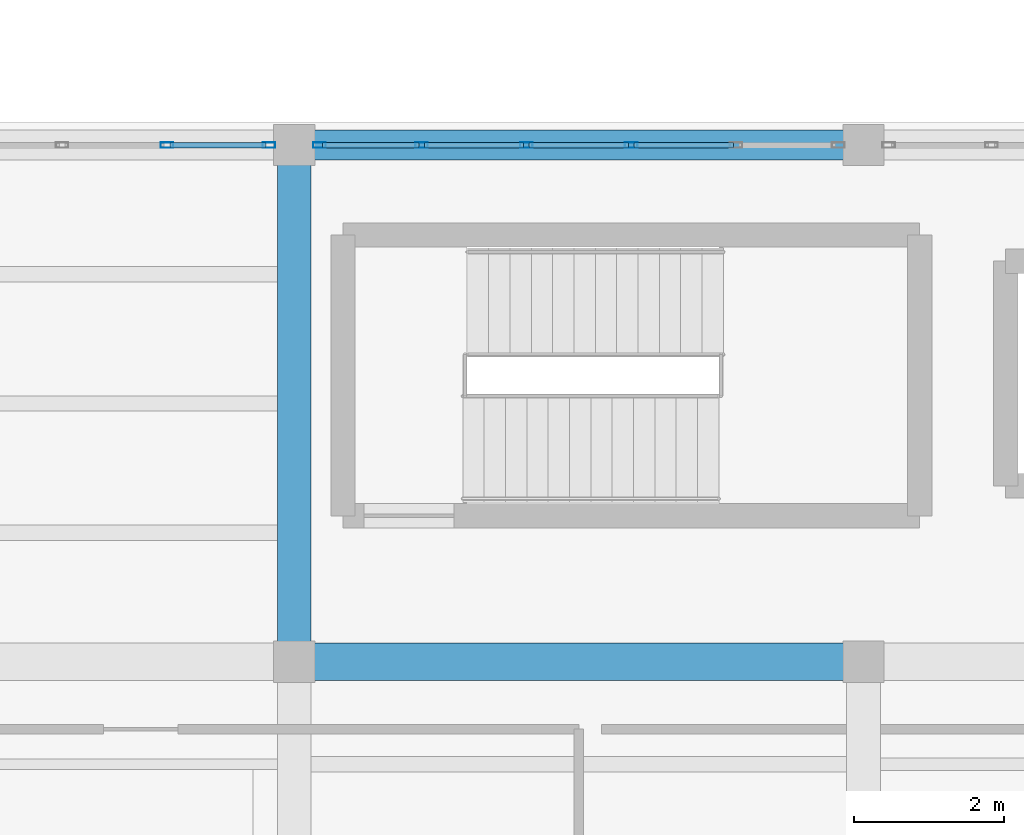
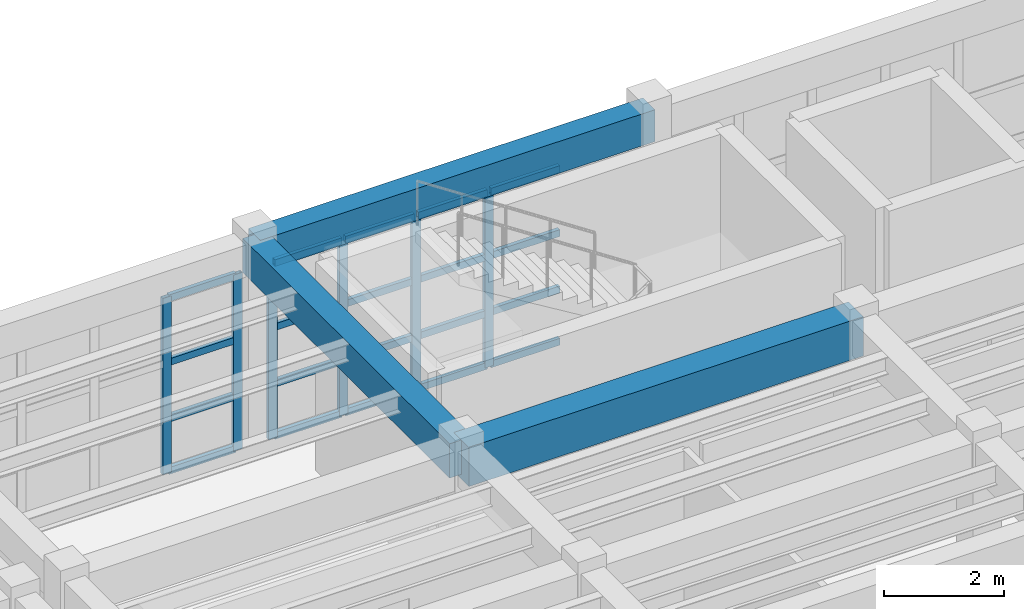
# One storey, part 24 of 85: 26 members, 3 beams, 2 elements without a shape of their own.
"""IFC4 building model written with IfcOpenShell, lengths in metres."""

from ifc_helpers import new_model, si_unit, direction, frame, origin, origin_2d, place, context, subcontext, project, spatial, rectangle, hollow_rectangle, extrude, material, layer, layer_set, material_profile, profile_set, type_object, element, aggregate, save


model = new_model("IFC4")

# Units and contexts
model_context = context("Model", 3, precision=1e-05, world=origin(), true_north=direction((0.0, 1.0)))
body_context = subcontext(model_context, "Body", "Model", "MODEL_VIEW")
ifc_project = project(units=[si_unit("LENGTHUNIT", "METRE"), si_unit("AREAUNIT", "SQUARE_METRE"), si_unit("VOLUMEUNIT", "CUBIC_METRE"), si_unit("PLANEANGLEUNIT", "RADIAN"), si_unit("MASSUNIT", "GRAM", prefix="KILO")], contexts=[model_context])

# Site, building, storey
site_placement = place(None, origin())
site = spatial("IfcSite", under=ifc_project, at=site_placement, CompositionType="ELEMENT")
building_placement = place(site_placement, origin())
building = spatial("IfcBuilding", under=site, at=building_placement, Name="Candilejo Ridge Gondola Terminal", CompositionType="ELEMENT")
storey_placement = place(building_placement, frame((0.0, 0.0, 4.5)))
storey = spatial("IfcBuildingStorey", under=building, at=storey_placement, Name="L01", CompositionType="ELEMENT", Elevation=4.5)

# Curtain wall, members
ifc_material_1 = material(Name="Anodised aluminium AA 6063-T6", Category="aluminium")
ifc_layer = layer(ifc_material_1, 0.169921875)
ifc_layer_set = layer_set([ifc_layer], Name="ARC-CW-GALLERY-3200-700X359")
curtain_wall_type = type_object("IfcCurtainWallType", Name="ARC-CW-GALLERY-3200-700X359", PredefinedType="NOTDEFINED", material=ifc_layer_set)
curtain_wall_1_placement = place(storey_placement, origin())
curtain_wall_1 = element("IfcCurtainWall", 1, at=curtain_wall_1_placement, inside=storey, type_object=curtain_wall_type, Name="Curtain wall V3 L01-070", PredefinedType="NOTDEFINED")
ifc_material_2 = material(Name="Anodised aluminium AA 6063-T6", Category="aluminium")
ifc_material_profile_1 = material_profile(ifc_material_2, hollow_rectangle(XDim=0.074951171875, YDim=0.169921875, WallThickness=0.00390625, at=origin_2d()))
ifc_profile_set_1 = profile_set([ifc_material_profile_1], Name="Anodised aluminium AA 6063-T6")
member_type_1 = type_object("IfcMemberType", Name="ARC-CW-MULLION", PredefinedType="MULLION", material=ifc_profile_set_1)
member_1_placement = place(storey_placement, frame((92.89990234375, 36.699951171875, 0.0), z_axis=(0.0, 0.0, 1.0), x_axis=(0.0, 1.0, 0.0)))
member_1 = element("IfcMember", 2, at=member_1_placement, type_object=member_type_1, Name="CW-70X35 mullion 5", PredefinedType="MULLION", context=body_context, shape_type="SweptSolid", body=[
    extrude(hollow_rectangle(XDim=0.074951171875, YDim=0.169921875, WallThickness=0.00390625, at=origin_2d()), origin(), (0.0, 0.0, 1.0), 3.590087890625),
])
member_2_placement = place(storey_placement, frame((94.262451171875, 36.699951171875, 0.0), z_axis=(0.0, 0.0, 1.0), x_axis=(0.0, 1.0, 0.0)))
member_2 = element("IfcMember", 3, at=member_2_placement, type_object=member_type_1, Name="CW-70X35 mullion 6", PredefinedType="MULLION", context=body_context, shape_type="SweptSolid", body=[
    extrude(hollow_rectangle(XDim=0.074951171875, YDim=0.169921875, WallThickness=0.00390625, at=origin_2d()), origin(), (0.0, 0.0, 1.0), 3.590087890625),
])

curtain_wall_2_placement = place(storey_placement, origin())
curtain_wall_2 = element("IfcCurtainWall", 4, at=curtain_wall_2_placement, inside=storey, type_object=curtain_wall_type, Name="Curtain wall V3 L01-072", PredefinedType="NOTDEFINED")
member_3_placement = place(storey_placement, frame((94.9375, 36.699951171875, 0.0), z_axis=(0.0, 0.0, 1.0), x_axis=(0.0, 1.0, 0.0)))
member_3 = element("IfcMember", 5, at=member_3_placement, type_object=member_type_1, Name="CW-70X35 mullion 1", PredefinedType="MULLION", context=body_context, shape_type="SweptSolid", body=[
    extrude(hollow_rectangle(XDim=0.074951171875, YDim=0.169921875, WallThickness=0.00390625, at=origin_2d()), origin(), (0.0, 0.0, 1.0), 3.590087890625),
])
member_4_placement = place(storey_placement, frame((96.300048828125, 36.699951171875, 0.0), z_axis=(0.0, 0.0, 1.0), x_axis=(0.0, 1.0, 0.0)))
member_4 = element("IfcMember", 6, at=member_4_placement, type_object=member_type_1, Name="CW-70X35 mullion 2", PredefinedType="MULLION", context=body_context, shape_type="SweptSolid", body=[
    extrude(hollow_rectangle(XDim=0.074951171875, YDim=0.169921875, WallThickness=0.00390625, at=origin_2d()), origin(), (0.0, 0.0, 1.0), 3.590087890625),
])
member_5_placement = place(storey_placement, frame((97.699951171875, 36.699951171875, 0.0), z_axis=(0.0, 0.0, 1.0), x_axis=(0.0, 1.0, 0.0)))
member_5 = element("IfcMember", 7, at=member_5_placement, type_object=member_type_1, Name="CW-70X35 mullion 3", PredefinedType="MULLION", context=body_context, shape_type="SweptSolid", body=[
    extrude(hollow_rectangle(XDim=0.074951171875, YDim=0.169921875, WallThickness=0.00390625, at=origin_2d()), origin(), (0.0, 0.0, 1.0), 3.590087890625),
])
member_6_placement = place(storey_placement, frame((99.10009765625, 36.699951171875, 0.0), z_axis=(0.0, 0.0, 1.0), x_axis=(0.0, 1.0, 0.0)))
member_6 = element("IfcMember", 8, at=member_6_placement, type_object=member_type_1, Name="CW-70X35 mullion 4", PredefinedType="MULLION", context=body_context, shape_type="SweptSolid", body=[
    extrude(hollow_rectangle(XDim=0.074951171875, YDim=0.169921875, WallThickness=0.00390625, at=origin_2d()), origin(), (0.0, 0.0, 1.0), 3.590087890625),
])

# Member
ifc_material_3 = material(Name="Anodised aluminium AA 6063-T6", Category="aluminium")
ifc_material_profile_2 = material_profile(ifc_material_3, hollow_rectangle(XDim=0.074951171875, YDim=0.139892578125, WallThickness=0.00390625, at=origin_2d()))
ifc_profile_set_2 = profile_set([ifc_material_profile_2], Name="Anodised aluminium AA 6063-T6")
member_type_2 = type_object("IfcMemberType", Name="ARC-CW-TRANSOM", PredefinedType="USERDEFINED", material=ifc_profile_set_2)
member_7_placement = place(storey_placement, frame((92.9375, 36.699951171875, 0.03759765625), z_axis=(1.0, 0.0, 0.0), x_axis=(0.0, 1.0, 0.0)))
member_7 = element("IfcMember", 9, at=member_7_placement, type_object=member_type_2, Name="CW-70X35 transom 5.1", ObjectType="TRANSOM", PredefinedType="USERDEFINED", context=body_context, shape_type="SweptSolid", body=[
    extrude(hollow_rectangle(XDim=0.074951171875, YDim=0.139892578125, WallThickness=0.00390625, at=origin_2d()), origin(), (0.0, 0.0, 1.0), 1.28759765625),
])

member_8_placement = place(storey_placement, frame((92.9375, 36.699951171875, 1.10009765625), z_axis=(1.0, 0.0, 0.0), x_axis=(0.0, 1.0, 0.0)))
member_8 = element("IfcMember", 10, at=member_8_placement, type_object=member_type_2, Name="CW-70X35 transom 5.2", ObjectType="TRANSOM", PredefinedType="USERDEFINED", context=body_context, shape_type="SweptSolid", body=[
    extrude(hollow_rectangle(XDim=0.074951171875, YDim=0.139892578125, WallThickness=0.00390625, at=origin_2d()), origin(), (0.0, 0.0, 1.0), 1.28759765625),
])

member_9_placement = place(storey_placement, frame((92.9375, 36.699951171875, 2.25), z_axis=(1.0, 0.0, 0.0), x_axis=(0.0, 1.0, 0.0)))
member_9 = element("IfcMember", 11, at=member_9_placement, type_object=member_type_2, Name="CW-70X35 transom 5.3", ObjectType="TRANSOM", PredefinedType="USERDEFINED", context=body_context, shape_type="SweptSolid", body=[
    extrude(hollow_rectangle(XDim=0.074951171875, YDim=0.139892578125, WallThickness=0.00390625, at=origin_2d()), origin(), (0.0, 0.0, 1.0), 1.28759765625),
])

member_10_placement = place(storey_placement, frame((92.9375, 36.699951171875, 3.552490234375), z_axis=(1.0, 0.0, 0.0), x_axis=(0.0, 1.0, 0.0)))
member_10 = element("IfcMember", 12, at=member_10_placement, type_object=member_type_2, Name="CW-70X35 transom 5.4", ObjectType="TRANSOM", PredefinedType="USERDEFINED", context=body_context, shape_type="SweptSolid", body=[
    extrude(hollow_rectangle(XDim=0.074951171875, YDim=0.139892578125, WallThickness=0.00390625, at=origin_2d()), origin(), (0.0, 0.0, 1.0), 1.28759765625),
])

aggregate(curtain_wall_1, [member_1, member_2, member_7, member_8, member_9, member_10])

member_11_placement = place(storey_placement, frame((94.97509765625, 36.699951171875, 0.03759765625), z_axis=(1.0, 0.0, 0.0), x_axis=(0.0, 1.0, 0.0)))
member_11 = element("IfcMember", 13, at=member_11_placement, type_object=member_type_2, Name="CW-70X35 transom 1.1", ObjectType="TRANSOM", PredefinedType="USERDEFINED", context=body_context, shape_type="SweptSolid", body=[
    extrude(hollow_rectangle(XDim=0.074951171875, YDim=0.139892578125, WallThickness=0.00390625, at=origin_2d()), origin(), (0.0, 0.0, 1.0), 1.287353515625),
])

member_12_placement = place(storey_placement, frame((94.97509765625, 36.699951171875, 1.10009765625), z_axis=(1.0, 0.0, 0.0), x_axis=(0.0, 1.0, 0.0)))
member_12 = element("IfcMember", 14, at=member_12_placement, type_object=member_type_2, Name="CW-70X35 transom 1.2", ObjectType="TRANSOM", PredefinedType="USERDEFINED", context=body_context, shape_type="SweptSolid", body=[
    extrude(hollow_rectangle(XDim=0.074951171875, YDim=0.139892578125, WallThickness=0.00390625, at=origin_2d()), origin(), (0.0, 0.0, 1.0), 1.287353515625),
])

member_13_placement = place(storey_placement, frame((94.97509765625, 36.699951171875, 2.25), z_axis=(1.0, 0.0, 0.0), x_axis=(0.0, 1.0, 0.0)))
member_13 = element("IfcMember", 15, at=member_13_placement, type_object=member_type_2, Name="CW-70X35 transom 1.3", ObjectType="TRANSOM", PredefinedType="USERDEFINED", context=body_context, shape_type="SweptSolid", body=[
    extrude(hollow_rectangle(XDim=0.074951171875, YDim=0.139892578125, WallThickness=0.00390625, at=origin_2d()), origin(), (0.0, 0.0, 1.0), 1.287353515625),
])

member_14_placement = place(storey_placement, frame((94.97509765625, 36.699951171875, 3.552490234375), z_axis=(1.0, 0.0, 0.0), x_axis=(0.0, 1.0, 0.0)))
member_14 = element("IfcMember", 16, at=member_14_placement, type_object=member_type_2, Name="CW-70X35 transom 1.4", ObjectType="TRANSOM", PredefinedType="USERDEFINED", context=body_context, shape_type="SweptSolid", body=[
    extrude(hollow_rectangle(XDim=0.074951171875, YDim=0.139892578125, WallThickness=0.00390625, at=origin_2d()), origin(), (0.0, 0.0, 1.0), 1.287353515625),
])

member_15_placement = place(storey_placement, frame((96.33740234375, 36.699951171875, 0.03759765625), z_axis=(1.0, 0.0, 0.0), x_axis=(0.0, 1.0, 0.0)))
member_15 = element("IfcMember", 17, at=member_15_placement, type_object=member_type_2, Name="CW-70X35 transom 2.1", ObjectType="TRANSOM", PredefinedType="USERDEFINED", context=body_context, shape_type="SweptSolid", body=[
    extrude(hollow_rectangle(XDim=0.074951171875, YDim=0.139892578125, WallThickness=0.00390625, at=origin_2d()), origin(), (0.0, 0.0, 1.0), 1.3251953125),
])

member_16_placement = place(storey_placement, frame((96.33740234375, 36.699951171875, 1.10009765625), z_axis=(1.0, 0.0, 0.0), x_axis=(0.0, 1.0, 0.0)))
member_16 = element("IfcMember", 18, at=member_16_placement, type_object=member_type_2, Name="CW-70X35 transom 2.2", ObjectType="TRANSOM", PredefinedType="USERDEFINED", context=body_context, shape_type="SweptSolid", body=[
    extrude(hollow_rectangle(XDim=0.074951171875, YDim=0.139892578125, WallThickness=0.00390625, at=origin_2d()), origin(), (0.0, 0.0, 1.0), 1.3251953125),
])

member_17_placement = place(storey_placement, frame((96.33740234375, 36.699951171875, 2.25), z_axis=(1.0, 0.0, 0.0), x_axis=(0.0, 1.0, 0.0)))
member_17 = element("IfcMember", 19, at=member_17_placement, type_object=member_type_2, Name="CW-70X35 transom 2.3", ObjectType="TRANSOM", PredefinedType="USERDEFINED", context=body_context, shape_type="SweptSolid", body=[
    extrude(hollow_rectangle(XDim=0.074951171875, YDim=0.139892578125, WallThickness=0.00390625, at=origin_2d()), origin(), (0.0, 0.0, 1.0), 1.3251953125),
])

member_18_placement = place(storey_placement, frame((96.33740234375, 36.699951171875, 3.552490234375), z_axis=(1.0, 0.0, 0.0), x_axis=(0.0, 1.0, 0.0)))
member_18 = element("IfcMember", 20, at=member_18_placement, type_object=member_type_2, Name="CW-70X35 transom 2.4", ObjectType="TRANSOM", PredefinedType="USERDEFINED", context=body_context, shape_type="SweptSolid", body=[
    extrude(hollow_rectangle(XDim=0.074951171875, YDim=0.139892578125, WallThickness=0.00390625, at=origin_2d()), origin(), (0.0, 0.0, 1.0), 1.3251953125),
])

member_19_placement = place(storey_placement, frame((97.737548828125, 36.699951171875, 0.03759765625), z_axis=(1.0, 0.0, 0.0), x_axis=(0.0, 1.0, 0.0)))
member_19 = element("IfcMember", 21, at=member_19_placement, type_object=member_type_2, Name="CW-70X35 transom 3.1", ObjectType="TRANSOM", PredefinedType="USERDEFINED", context=body_context, shape_type="SweptSolid", body=[
    extrude(hollow_rectangle(XDim=0.074951171875, YDim=0.139892578125, WallThickness=0.00390625, at=origin_2d()), origin(), (0.0, 0.0, 1.0), 1.324951171875),
])

member_20_placement = place(storey_placement, frame((97.737548828125, 36.699951171875, 1.10009765625), z_axis=(1.0, 0.0, 0.0), x_axis=(0.0, 1.0, 0.0)))
member_20 = element("IfcMember", 22, at=member_20_placement, type_object=member_type_2, Name="CW-70X35 transom 3.2", ObjectType="TRANSOM", PredefinedType="USERDEFINED", context=body_context, shape_type="SweptSolid", body=[
    extrude(hollow_rectangle(XDim=0.074951171875, YDim=0.139892578125, WallThickness=0.00390625, at=origin_2d()), origin(), (0.0, 0.0, 1.0), 1.324951171875),
])

member_21_placement = place(storey_placement, frame((97.737548828125, 36.699951171875, 2.25), z_axis=(1.0, 0.0, 0.0), x_axis=(0.0, 1.0, 0.0)))
member_21 = element("IfcMember", 23, at=member_21_placement, type_object=member_type_2, Name="CW-70X35 transom 3.3", ObjectType="TRANSOM", PredefinedType="USERDEFINED", context=body_context, shape_type="SweptSolid", body=[
    extrude(hollow_rectangle(XDim=0.074951171875, YDim=0.139892578125, WallThickness=0.00390625, at=origin_2d()), origin(), (0.0, 0.0, 1.0), 1.324951171875),
])

member_22_placement = place(storey_placement, frame((97.737548828125, 36.699951171875, 3.552490234375), z_axis=(1.0, 0.0, 0.0), x_axis=(0.0, 1.0, 0.0)))
member_22 = element("IfcMember", 24, at=member_22_placement, type_object=member_type_2, Name="CW-70X35 transom 3.4", ObjectType="TRANSOM", PredefinedType="USERDEFINED", context=body_context, shape_type="SweptSolid", body=[
    extrude(hollow_rectangle(XDim=0.074951171875, YDim=0.139892578125, WallThickness=0.00390625, at=origin_2d()), origin(), (0.0, 0.0, 1.0), 1.324951171875),
])

member_23_placement = place(storey_placement, frame((99.137451171875, 36.699951171875, 0.03759765625), z_axis=(1.0, 0.0, 0.0), x_axis=(0.0, 1.0, 0.0)))
member_23 = element("IfcMember", 25, at=member_23_placement, type_object=member_type_2, Name="CW-70X35 transom 4.1", ObjectType="TRANSOM", PredefinedType="USERDEFINED", context=body_context, shape_type="SweptSolid", body=[
    extrude(hollow_rectangle(XDim=0.074951171875, YDim=0.139892578125, WallThickness=0.00390625, at=origin_2d()), origin(), (0.0, 0.0, 1.0), 1.324951171875),
])

member_24_placement = place(storey_placement, frame((99.137451171875, 36.699951171875, 1.10009765625), z_axis=(1.0, 0.0, 0.0), x_axis=(0.0, 1.0, 0.0)))
member_24 = element("IfcMember", 26, at=member_24_placement, type_object=member_type_2, Name="CW-70X35 transom 4.2", ObjectType="TRANSOM", PredefinedType="USERDEFINED", context=body_context, shape_type="SweptSolid", body=[
    extrude(hollow_rectangle(XDim=0.074951171875, YDim=0.139892578125, WallThickness=0.00390625, at=origin_2d()), origin(), (0.0, 0.0, 1.0), 1.324951171875),
])

member_25_placement = place(storey_placement, frame((99.137451171875, 36.699951171875, 2.25), z_axis=(1.0, 0.0, 0.0), x_axis=(0.0, 1.0, 0.0)))
member_25 = element("IfcMember", 27, at=member_25_placement, type_object=member_type_2, Name="CW-70X35 transom 4.3", ObjectType="TRANSOM", PredefinedType="USERDEFINED", context=body_context, shape_type="SweptSolid", body=[
    extrude(hollow_rectangle(XDim=0.074951171875, YDim=0.139892578125, WallThickness=0.00390625, at=origin_2d()), origin(), (0.0, 0.0, 1.0), 1.324951171875),
])

member_26_placement = place(storey_placement, frame((99.137451171875, 36.699951171875, 3.552490234375), z_axis=(1.0, 0.0, 0.0), x_axis=(0.0, 1.0, 0.0)))
member_26 = element("IfcMember", 28, at=member_26_placement, type_object=member_type_2, Name="CW-70X35 transom 4.4", ObjectType="TRANSOM", PredefinedType="USERDEFINED", context=body_context, shape_type="SweptSolid", body=[
    extrude(hollow_rectangle(XDim=0.074951171875, YDim=0.139892578125, WallThickness=0.00390625, at=origin_2d()), origin(), (0.0, 0.0, 1.0), 1.324951171875),
])

aggregate(curtain_wall_2, [member_3, member_4, member_5, member_6, member_11, member_12, member_13, member_14, member_15, member_16, member_17, member_18, member_19, member_20, member_21, member_22, member_23, member_24, member_25, member_26])

# Beams
ifc_material_4 = material(Name="Concrete f'c 35 MPa (C35/45)", Category="concrete")
ifc_material_profile_3 = material_profile(ifc_material_4, rectangle(XDim=0.449951171875, YDim=0.699951171875, at=origin_2d()))
ifc_profile_set_3 = profile_set([ifc_material_profile_3], Name="Concrete f'c 35 MPa (C35/45)")
beam_type_1 = type_object("IfcBeamType", Name="STR-BM-RC450X700", PredefinedType="BEAM", material=ifc_profile_set_3)
beam_1_placement = place(storey_placement, frame((94.60009765625, 29.800048828125, 3.89990234375), z_axis=(0.0, 1.0, 0.0), x_axis=(-1.0, 0.0, 0.0)))
element("IfcBeam", 29, at=beam_1_placement, inside=storey, type_object=beam_type_1, Name="Beam Y V3 L01 Y06-Y07@X15", PredefinedType="BEAM", context=body_context, shape_type="SweptSolid", body=[
    extrude(rectangle(XDim=0.449951171875, YDim=0.699951171875, at=origin_2d()), origin(), (0.0, 0.0, 1.0), 6.89990234375),
])
ifc_material_5 = material(Name="Concrete f'c 35 MPa (C35/45)", Category="concrete")
ifc_material_profile_4 = material_profile(ifc_material_5, rectangle(XDim=0.5, YDim=0.800048828125, at=origin_2d()))
ifc_profile_set_4 = profile_set([ifc_material_profile_4], Name="Concrete f'c 35 MPa (C35/45)")
beam_type_2 = type_object("IfcBeamType", Name="STR-BM-RC500X800", PredefinedType="BEAM", material=ifc_profile_set_4)
beam_2_placement = place(storey_placement, frame((94.60009765625, 29.800048828125, 3.85009765625), z_axis=(1.0, 0.0, 0.0), x_axis=(0.0, 1.0, 0.0)))
element("IfcBeam", 30, at=beam_2_placement, inside=storey, type_object=beam_type_2, Name="Beam X V3 L01 X15-X16@Y06", PredefinedType="BEAM", context=body_context, shape_type="SweptSolid", body=[
    extrude(rectangle(XDim=0.5, YDim=0.800048828125, at=origin_2d()), origin(), (0.0, 0.0, 1.0), 7.599853515625),
])
ifc_material_6 = material(Name="Concrete f'c 35 MPa (C35/45)", Category="concrete")
ifc_material_profile_5 = material_profile(ifc_material_6, rectangle(XDim=0.39990234375, YDim=0.64990234375, at=origin_2d()))
ifc_profile_set_5 = profile_set([ifc_material_profile_5], Name="Concrete f'c 35 MPa (C35/45)")
beam_type_3 = type_object("IfcBeamType", Name="STR-SPN-RC400X650", PredefinedType="SPANDREL", material=ifc_profile_set_5)
beam_3_placement = place(storey_placement, frame((94.60009765625, 36.699951171875, 3.925048828125), z_axis=(1.0, 0.0, 0.0), x_axis=(0.0, 1.0, 0.0)))
element("IfcBeam", 31, at=beam_3_placement, inside=storey, type_object=beam_type_3, Name="Beam X V3 L01 X15-X16@Y07", PredefinedType="SPANDREL", context=body_context, shape_type="SweptSolid", body=[
    extrude(rectangle(XDim=0.39990234375, YDim=0.64990234375, at=origin_2d()), origin(), (0.0, 0.0, 1.0), 7.599853515625),
])

save(model, "model.ifc")
